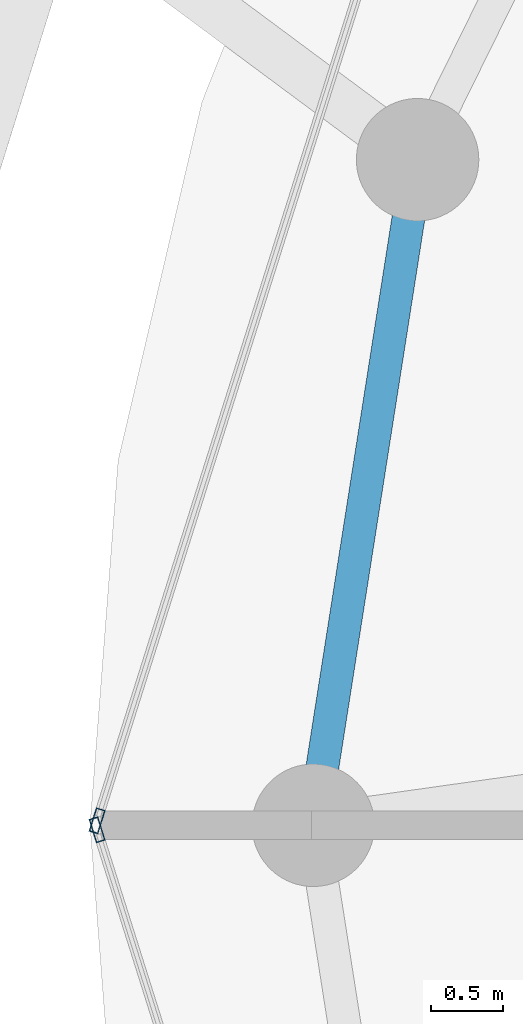
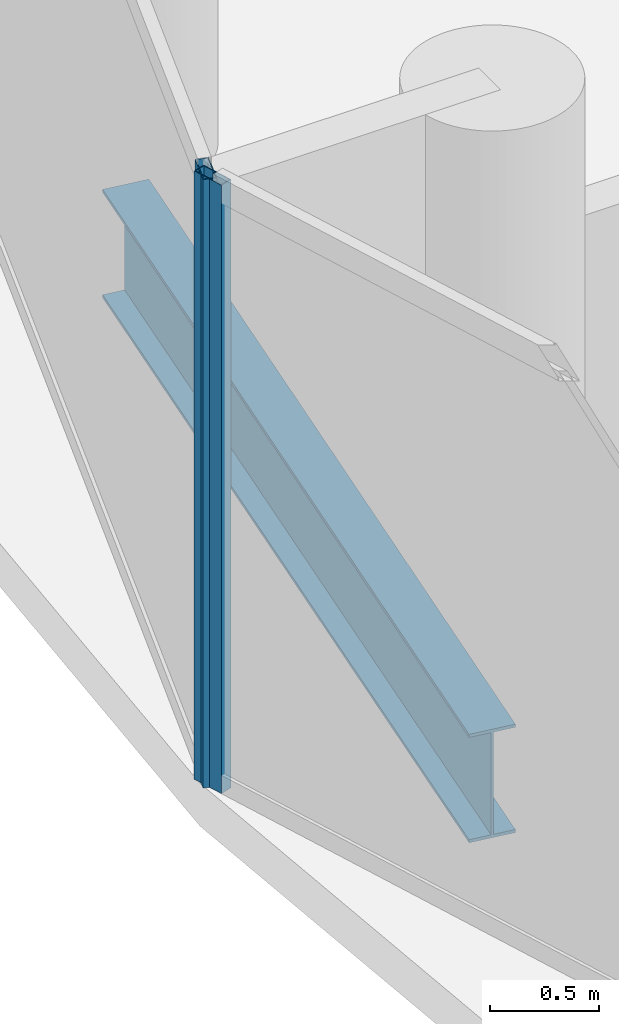
# One storey, part 7 of 27: 2 members, 1 beam, 2 elements without a shape of their own.
"""IFC4 building model written with IfcOpenShell, lengths in metres."""

import ifcopenshell
import ifcopenshell.guid

model = None  # the IFC model being written
_history = None  # IfcOwnerHistory: only IFC2X3 demands one
_inside = {}  # id of a spatial element -> (the spatial element, [elements in it])
_under = {}  # id of a project, library or spatial element -> (it, [spatial elements below it])
_declared = {}  # id of a project -> (the project, [libraries it declares])
_typed = {}  # id of a type object -> (the type object, [elements of that type])
_made_of = {}  # id of a material, layer set ... -> (it, [elements and type objects made of it])


def new_model(schema):
    """Start an empty IFC model of exactly this schema.

    Asked for "IFC4X3", IfcOpenShell would pick the latest addendum, in which some entities
    have other attributes; the version numbers below select the first issue.
    IFC2X3 requires an IfcOwnerHistory on every rooted entity: one is made here for all.
    """
    global model, _history
    if schema == "IFC4X3":
        model = ifcopenshell.file(schema_version=(4, 3, 0, 0))
    else:
        model = ifcopenshell.file(schema=schema)
    _inside.clear()
    _under.clear()
    _declared.clear()
    _typed.clear()
    _made_of.clear()
    _history = None
    if model.schema == "IFC2X3":
        org = make("IfcOrganization", Name="unknown")
        user = make(
            "IfcPersonAndOrganization",
            ThePerson=make("IfcPerson", FamilyName="unknown"),
            TheOrganization=org,
        )
        app = make(
            "IfcApplication",
            ApplicationDeveloper=org,
            Version="unknown",
            ApplicationFullName="unknown",
            ApplicationIdentifier="unknown",
        )
        _history = make(
            "IfcOwnerHistory",
            OwningUser=user,
            OwningApplication=app,
            ChangeAction="ADDED",
            CreationDate=0,
        )
    return model


def make(cls, **values):
    """One entity of the class cls with the attributes given. An attribute that is None is left unset."""
    return model.create_entity(
        cls, **{name: value for name, value in values.items() if value is not None}
    )


def rooted(cls, **values):
    """An entity with a GlobalId (a new one), such as an element, a storey or a relation."""
    return make(cls, GlobalId=ifcopenshell.guid.new(), OwnerHistory=_history, **values)


def si_unit(unit_type, name, prefix=None):
    """IfcSIUnit, for example si_unit("LENGTHUNIT", "METRE", prefix="MILLI")."""
    return make("IfcSIUnit", UnitType=unit_type, Prefix=prefix, Name=name)


def assignment(units):
    """IfcUnitAssignment: the units of a project."""
    return None if units is None else make("IfcUnitAssignment", Units=units)


def point(xyz):
    """IfcCartesianPoint."""
    return None if xyz is None else make("IfcCartesianPoint", Coordinates=xyz)


def direction(xyz):
    """IfcDirection."""
    return None if xyz is None else make("IfcDirection", DirectionRatios=xyz)


def frame(location, z_axis=None, x_axis=None):
    """IfcAxis2Placement3D, a coordinate frame: its origin and axes. An axis left out is left unset."""
    return make(
        "IfcAxis2Placement3D",
        Location=point(location),
        Axis=direction(z_axis),
        RefDirection=direction(x_axis),
    )


def frame_2d(location, x_axis=None):
    """IfcAxis2Placement2D, a coordinate frame in the plane: its origin and x axis."""
    return make(
        "IfcAxis2Placement2D", Location=point(location), RefDirection=direction(x_axis)
    )


def origin():
    """The frame at (0, 0, 0) with its axes left unset."""
    return frame((0.0, 0.0, 0.0))


def origin_2d():
    """The frame at (0, 0) in the plane with its x axis left unset."""
    return frame_2d((0.0, 0.0))


def place(relative_to, where):
    """IfcLocalPlacement: puts the frame where relative to a parent placement (None: the world)."""
    return make(
        "IfcLocalPlacement", PlacementRelTo=relative_to, RelativePlacement=where
    )


def context(
    kind, dimensions, precision=None, world=None, true_north=None, identifier=None
):
    """IfcGeometricRepresentationContext, for example the 3D "Model" context."""
    return make(
        "IfcGeometricRepresentationContext",
        ContextIdentifier=identifier,
        ContextType=kind,
        CoordinateSpaceDimension=dimensions,
        Precision=precision,
        WorldCoordinateSystem=world,
        TrueNorth=true_north,
    )


def subcontext(parent, identifier, kind, view, scale=None):
    """IfcGeometricRepresentationSubContext, for example "Body" below "Model"."""
    return make(
        "IfcGeometricRepresentationSubContext",
        ContextIdentifier=identifier,
        ContextType=kind,
        ParentContext=parent,
        TargetScale=scale,
        TargetView=view,
    )


def project(units=None, contexts=None):
    """IfcProject with its units and contexts."""
    return rooted(
        "IfcProject",
        Name="project",
        RepresentationContexts=contexts,
        UnitsInContext=assignment(units),
    )


def spatial(cls, under=None, at=None, **own):
    """A site, building, storey or space (cls), placed at a placement, below another one or the project."""
    s = rooted(cls, ObjectPlacement=at, **own)
    if under is not None:
        _under.setdefault(under.id(), (under, []))[1].append(s)
    return s


def profile(cls, at=None, kind="AREA", **sizes):
    """A parametric profile (cls). Its sizes go by their IFC names, for example OverallWidth=200.0."""
    return make(cls, ProfileType=kind, Position=at, **sizes)


def hollow_rectangle(**sizes):
    """IfcRectangleHollowProfileDef."""
    return profile("IfcRectangleHollowProfileDef", **sizes)


def i_section(**sizes):
    """IfcIShapeProfileDef."""
    return profile("IfcIShapeProfileDef", **sizes)


def extrude(swept, where, along, depth):
    """IfcExtrudedAreaSolid: the profile swept, set in the frame where, extruded along a direction by depth."""
    return make(
        "IfcExtrudedAreaSolid",
        SweptArea=swept,
        Position=where,
        ExtrudedDirection=direction(along),
        Depth=depth,
    )


def shape(context_of_items, identifier, shape_type, items):
    """IfcShapeRepresentation: the items that make up one representation, for example the "Body"."""
    return make(
        "IfcShapeRepresentation",
        ContextOfItems=context_of_items,
        RepresentationIdentifier=identifier,
        RepresentationType=shape_type,
        Items=items,
    )


def material(Name=None, Category=None):
    """IfcMaterial."""
    return make("IfcMaterial", Name=Name, Category=Category)


def layer(
    of_material, thickness, ventilated=None, Name=None, Category=None, Priority=None
):
    """IfcMaterialLayer: one layer of a wall or slab, of a material (None: an air gap)."""
    return make(
        "IfcMaterialLayer",
        Material=of_material,
        LayerThickness=thickness,
        IsVentilated=ventilated,
        Name=Name,
        Category=Category,
        Priority=Priority,
    )


def layer_set(layers, Name=None):
    """IfcMaterialLayerSet."""
    return make("IfcMaterialLayerSet", MaterialLayers=layers, LayerSetName=Name)


def material_profile(
    of_material, cross_section, Name=None, Category=None, Priority=None
):
    """IfcMaterialProfile: a cross section and its material."""
    return make(
        "IfcMaterialProfile",
        Name=Name,
        Material=of_material,
        Profile=cross_section,
        Priority=Priority,
        Category=Category,
    )


def profile_set(profiles, Name=None, composite=None):
    """IfcMaterialProfileSet."""
    return make(
        "IfcMaterialProfileSet",
        Name=Name,
        MaterialProfiles=profiles,
        CompositeProfile=composite,
    )


def made_of(thing, what):
    """Note that an element or type object is made of a material, layer set ...; save() writes the relation."""
    if what is not None:
        _made_of.setdefault(what.id(), (what, []))[1].append(thing)
    return thing


def type_object(cls, material=None, **own):
    """A type object (cls), such as IfcWallType, which elements share."""
    return made_of(rooted(cls, **own), material)


def element(
    cls,
    number,
    at=None,
    inside=None,
    cuts=None,
    type_object=None,
    material=None,
    context=None,
    identifier="Body",
    shape_type=None,
    held_by="IfcProductDefinitionShape",
    body=None,
    shapes=None,
    **own,
):
    """One element of the class cls, such as IfcWall. Its Tag is "e" and its number.

    at: its placement. inside: the storey or other place that contains it. cuts: it is an
    opening in that element (IfcRelVoidsElement). A single representation is given by context,
    identifier, shape_type and body (its items); several are given by shapes. held_by: the class
    of the entity that holds the representations. save() writes the other relations.
    """
    e = rooted(cls, Tag="e%d" % number, ObjectPlacement=at, **own)
    if body is not None:
        shapes = [shape(context, identifier, shape_type, body)]
    if shapes is not None:
        e.Representation = make(held_by, Representations=shapes)
    if inside is not None:
        _inside.setdefault(inside.id(), (inside, []))[1].append(e)
    if cuts is not None:
        rooted(
            "IfcRelVoidsElement", RelatingBuildingElement=cuts, RelatedOpeningElement=e
        )
    if type_object is not None:
        _typed.setdefault(type_object.id(), (type_object, []))[1].append(e)
    return made_of(e, material)


def aggregate(whole, parts):
    """IfcRelAggregates: a whole, such as a stair, and the parts it consists of."""
    return rooted("IfcRelAggregates", RelatingObject=whole, RelatedObjects=parts)


def save(model, path):
    """Write the relations noted so far, then the file.

    IfcRelAggregates (storeys below a building ...), IfcRelContainedInSpatialStructure (elements
    in a storey), IfcRelDefinesByType, IfcRelAssociatesMaterial and IfcRelDeclares: one each for
    every whole, place, type object, material and project.
    """
    for whole, parts in _under.values():
        aggregate(whole, parts)
    for where, things in _inside.values():
        rooted(
            "IfcRelContainedInSpatialStructure",
            RelatedElements=things,
            RelatingStructure=where,
        )
    for kind, things in _typed.values():
        rooted("IfcRelDefinesByType", RelatedObjects=things, RelatingType=kind)
    for what, things in _made_of.values():
        rooted("IfcRelAssociatesMaterial", RelatedObjects=things, RelatingMaterial=what)
    for by, libraries in _declared.values():
        rooted("IfcRelDeclares", RelatingContext=by, RelatedDefinitions=libraries)
    model.write(path)


model = new_model("IFC4")

# Units and contexts
model_context = context("Model", 3, precision=1e-05, world=origin(), true_north=direction((0.0, 1.0)))
body_context = subcontext(model_context, "Body", "Model", "MODEL_VIEW")
ifc_project = project(units=[si_unit("LENGTHUNIT", "METRE"), si_unit("AREAUNIT", "SQUARE_METRE"), si_unit("VOLUMEUNIT", "CUBIC_METRE"), si_unit("PLANEANGLEUNIT", "RADIAN"), si_unit("MASSUNIT", "GRAM", prefix="KILO")], contexts=[model_context])

# Site, building, storey
site_placement = place(None, origin())
site = spatial("IfcSite", under=ifc_project, at=site_placement, CompositionType="ELEMENT")
building_placement = place(site_placement, origin())
building = spatial("IfcBuilding", under=site, at=building_placement, Name="Nuhasar Tower", CompositionType="ELEMENT")
storey_placement = place(building_placement, frame((0.0, 0.0, 226.39990234375)))
storey = spatial("IfcBuildingStorey", under=building, at=storey_placement, Name="L55", CompositionType="ELEMENT", Elevation=226.39990234375)

# Beam
ifc_material_1 = material(Name="Steel S355", Category="steel")
ifc_material_profile_1 = material_profile(ifc_material_1, i_section(OverallWidth=0.22802734375, OverallDepth=0.60791015625, WebThickness=0.01123046875, FlangeThickness=0.017333984375, at=origin_2d()), Name="W24X76")
ifc_profile_set_1 = profile_set([ifc_material_profile_1], Name="Steel S355")
beam_type = type_object("IfcBeamType", Name="BM-RING-W24X76", PredefinedType="SPANDREL", material=ifc_profile_set_1)
beam_placement = place(storey_placement, frame((18.47412109375, 31.419921875, -0.5439453125), z_axis=(-0.154849872935, -0.987938012657, 0.0), x_axis=(0.987938012657, -0.154849872935, 0.0)))
element("IfcBeam", 1, at=beam_placement, inside=storey, type_object=beam_type, Name="L55 Perimeter Ring Spandrel 12", PredefinedType="SPANDREL", context=body_context, shape_type="SweptSolid", body=[
    extrude(i_section(OverallWidth=0.22802734375, OverallDepth=0.60791015625, WebThickness=0.01123046875, FlangeThickness=0.017333984375, at=origin_2d()), origin(), (0.0, 0.0, 1.0), 4.67626953125),
])

# Curtain wall, member
ifc_material_2 = material(Name="Aluminium 6063-T6", Category="aluminium")
ifc_layer = layer(ifc_material_2, 0.18994140625)
ifc_layer_set = layer_set([ifc_layer], Name="Aluminium 6063-T6")
curtain_wall_type = type_object("IfcCurtainWallType", Name="CW-Z3-RES", PredefinedType="NOTDEFINED", material=ifc_layer_set)
curtain_wall_1_placement = place(storey_placement, origin())
curtain_wall_1 = element("IfcCurtainWall", 2, at=curtain_wall_1_placement, inside=storey, type_object=curtain_wall_type, Name="L55 Unitised Curtain Wall 06", PredefinedType="NOTDEFINED")
ifc_material_profile_2 = material_profile(ifc_material_2, hollow_rectangle(XDim=0.06494140625, YDim=0.169921875, WallThickness=0.0048828125, at=origin_2d()), Name="CWM-4")
ifc_profile_set_2 = profile_set([ifc_material_profile_2], Name="Aluminium 6063-T6")
member_type = type_object("IfcMemberType", Name="CW-MUL-S4", PredefinedType="MULLION", material=ifc_profile_set_2)
member_1_placement = place(storey_placement, frame((16.249755859375, 26.8310546875, 0.0), z_axis=(0.0, 0.0, 1.0), x_axis=(0.95380429279, -0.30042864553, 0.0)))
member_1 = element("IfcMember", 3, at=member_1_placement, type_object=member_type, Name="CW-Z3 mullion 2", PredefinedType="MULLION", context=body_context, shape_type="SweptSolid", body=[
    extrude(hollow_rectangle(XDim=0.06494140625, YDim=0.169921875, WallThickness=0.0048828125, at=origin_2d()), origin(), (0.0, 0.0, 1.0), 3.41015625),
])
aggregate(curtain_wall_1, [member_1])

curtain_wall_2_placement = place(storey_placement, origin())
curtain_wall_2 = element("IfcCurtainWall", 4, at=curtain_wall_2_placement, inside=storey, type_object=curtain_wall_type, Name="L55 Unitised Curtain Wall 07", PredefinedType="NOTDEFINED")
member_2_placement = place(storey_placement, frame((16.249755859375, 26.76904296875, 0.0), z_axis=(0.0, 0.0, 1.0), x_axis=(0.95380429279, 0.30042864553, 0.0)))
member_2 = element("IfcMember", 5, at=member_2_placement, type_object=member_type, Name="CW-Z3 mullion 1", PredefinedType="MULLION", context=body_context, shape_type="SweptSolid", body=[
    extrude(hollow_rectangle(XDim=0.06494140625, YDim=0.169921875, WallThickness=0.0048828125, at=origin_2d()), origin(), (0.0, 0.0, 1.0), 3.41015625),
])
aggregate(curtain_wall_2, [member_2])

save(model, "model.ifc")
